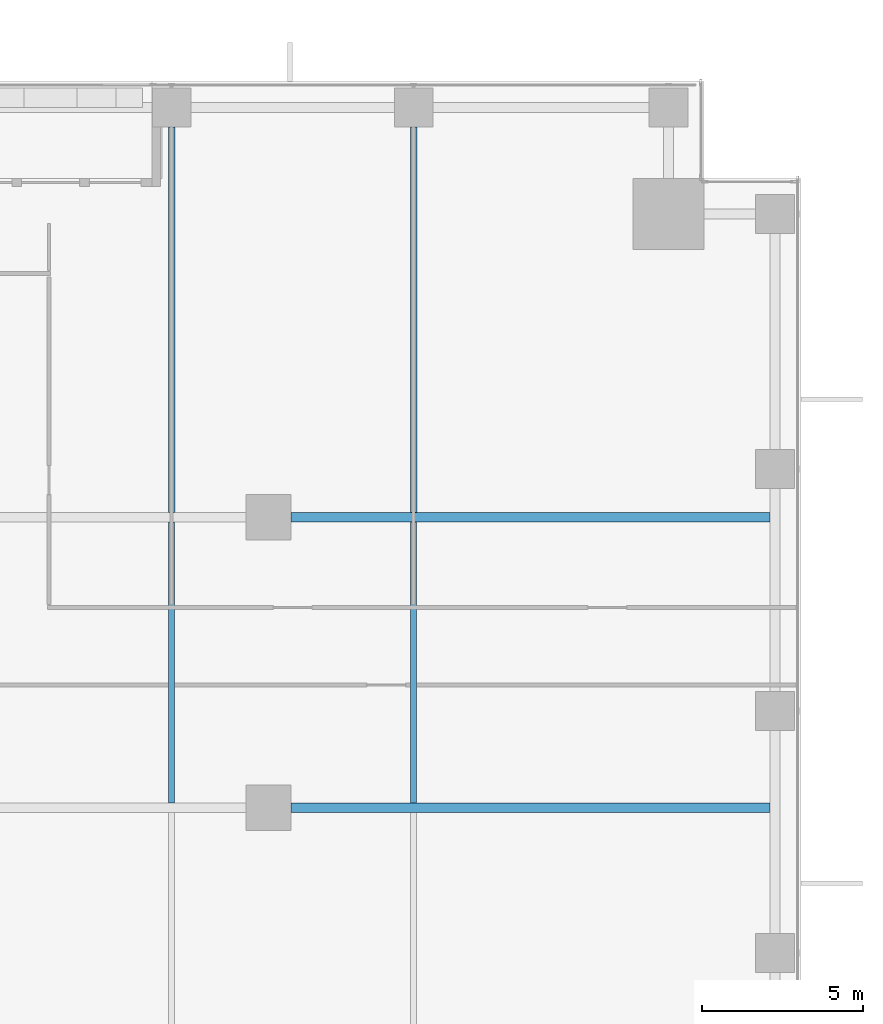
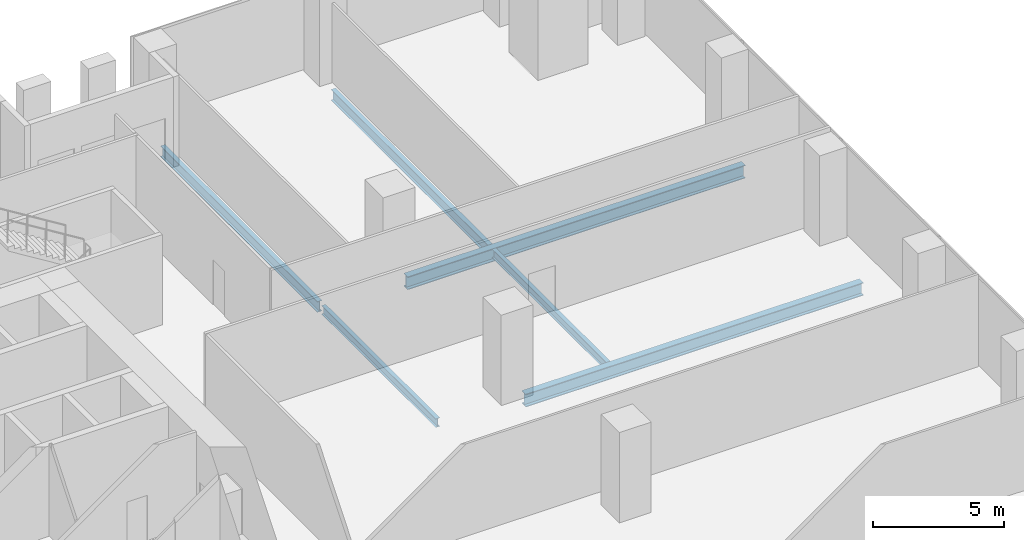
# One storey, part 17 of 33: 6 beams.
"""IFC4 building model written with IfcOpenShell, lengths in metres."""

import ifcopenshell
import ifcopenshell.guid

model = None  # the IFC model being written
_history = None  # IfcOwnerHistory: only IFC2X3 demands one
_inside = {}  # id of a spatial element -> (the spatial element, [elements in it])
_under = {}  # id of a project, library or spatial element -> (it, [spatial elements below it])
_declared = {}  # id of a project -> (the project, [libraries it declares])
_typed = {}  # id of a type object -> (the type object, [elements of that type])
_made_of = {}  # id of a material, layer set ... -> (it, [elements and type objects made of it])


def new_model(schema):
    """Start an empty IFC model of exactly this schema.

    Asked for "IFC4X3", IfcOpenShell would pick the latest addendum, in which some entities
    have other attributes; the version numbers below select the first issue.
    IFC2X3 requires an IfcOwnerHistory on every rooted entity: one is made here for all.
    """
    global model, _history
    if schema == "IFC4X3":
        model = ifcopenshell.file(schema_version=(4, 3, 0, 0))
    else:
        model = ifcopenshell.file(schema=schema)
    _inside.clear()
    _under.clear()
    _declared.clear()
    _typed.clear()
    _made_of.clear()
    _history = None
    if model.schema == "IFC2X3":
        org = make("IfcOrganization", Name="unknown")
        user = make(
            "IfcPersonAndOrganization",
            ThePerson=make("IfcPerson", FamilyName="unknown"),
            TheOrganization=org,
        )
        app = make(
            "IfcApplication",
            ApplicationDeveloper=org,
            Version="unknown",
            ApplicationFullName="unknown",
            ApplicationIdentifier="unknown",
        )
        _history = make(
            "IfcOwnerHistory",
            OwningUser=user,
            OwningApplication=app,
            ChangeAction="ADDED",
            CreationDate=0,
        )
    return model


def make(cls, **values):
    """One entity of the class cls with the attributes given. An attribute that is None is left unset."""
    return model.create_entity(
        cls, **{name: value for name, value in values.items() if value is not None}
    )


def rooted(cls, **values):
    """An entity with a GlobalId (a new one), such as an element, a storey or a relation."""
    return make(cls, GlobalId=ifcopenshell.guid.new(), OwnerHistory=_history, **values)


def si_unit(unit_type, name, prefix=None):
    """IfcSIUnit, for example si_unit("LENGTHUNIT", "METRE", prefix="MILLI")."""
    return make("IfcSIUnit", UnitType=unit_type, Prefix=prefix, Name=name)


def assignment(units):
    """IfcUnitAssignment: the units of a project."""
    return None if units is None else make("IfcUnitAssignment", Units=units)


def point(xyz):
    """IfcCartesianPoint."""
    return None if xyz is None else make("IfcCartesianPoint", Coordinates=xyz)


def direction(xyz):
    """IfcDirection."""
    return None if xyz is None else make("IfcDirection", DirectionRatios=xyz)


def frame(location, z_axis=None, x_axis=None):
    """IfcAxis2Placement3D, a coordinate frame: its origin and axes. An axis left out is left unset."""
    return make(
        "IfcAxis2Placement3D",
        Location=point(location),
        Axis=direction(z_axis),
        RefDirection=direction(x_axis),
    )


def frame_2d(location, x_axis=None):
    """IfcAxis2Placement2D, a coordinate frame in the plane: its origin and x axis."""
    return make(
        "IfcAxis2Placement2D", Location=point(location), RefDirection=direction(x_axis)
    )


def origin():
    """The frame at (0, 0, 0) with its axes left unset."""
    return frame((0.0, 0.0, 0.0))


def origin_2d():
    """The frame at (0, 0) in the plane with its x axis left unset."""
    return frame_2d((0.0, 0.0))


def place(relative_to, where):
    """IfcLocalPlacement: puts the frame where relative to a parent placement (None: the world)."""
    return make(
        "IfcLocalPlacement", PlacementRelTo=relative_to, RelativePlacement=where
    )


def context(
    kind, dimensions, precision=None, world=None, true_north=None, identifier=None
):
    """IfcGeometricRepresentationContext, for example the 3D "Model" context."""
    return make(
        "IfcGeometricRepresentationContext",
        ContextIdentifier=identifier,
        ContextType=kind,
        CoordinateSpaceDimension=dimensions,
        Precision=precision,
        WorldCoordinateSystem=world,
        TrueNorth=true_north,
    )


def subcontext(parent, identifier, kind, view, scale=None):
    """IfcGeometricRepresentationSubContext, for example "Body" below "Model"."""
    return make(
        "IfcGeometricRepresentationSubContext",
        ContextIdentifier=identifier,
        ContextType=kind,
        ParentContext=parent,
        TargetScale=scale,
        TargetView=view,
    )


def project(units=None, contexts=None):
    """IfcProject with its units and contexts."""
    return rooted(
        "IfcProject",
        Name="project",
        RepresentationContexts=contexts,
        UnitsInContext=assignment(units),
    )


def spatial(cls, under=None, at=None, **own):
    """A site, building, storey or space (cls), placed at a placement, below another one or the project."""
    s = rooted(cls, ObjectPlacement=at, **own)
    if under is not None:
        _under.setdefault(under.id(), (under, []))[1].append(s)
    return s


def profile(cls, at=None, kind="AREA", **sizes):
    """A parametric profile (cls). Its sizes go by their IFC names, for example OverallWidth=200.0."""
    return make(cls, ProfileType=kind, Position=at, **sizes)


def i_section(**sizes):
    """IfcIShapeProfileDef."""
    return profile("IfcIShapeProfileDef", **sizes)


def extrude(swept, where, along, depth):
    """IfcExtrudedAreaSolid: the profile swept, set in the frame where, extruded along a direction by depth."""
    return make(
        "IfcExtrudedAreaSolid",
        SweptArea=swept,
        Position=where,
        ExtrudedDirection=direction(along),
        Depth=depth,
    )


def shape(context_of_items, identifier, shape_type, items):
    """IfcShapeRepresentation: the items that make up one representation, for example the "Body"."""
    return make(
        "IfcShapeRepresentation",
        ContextOfItems=context_of_items,
        RepresentationIdentifier=identifier,
        RepresentationType=shape_type,
        Items=items,
    )


def source(mapping_origin, context_of_items, identifier, shape_type, items):
    """IfcRepresentationMap: a shape defined once, which mapped items show again and again."""
    return make(
        "IfcRepresentationMap",
        MappingOrigin=mapping_origin,
        MappedRepresentation=shape(context_of_items, identifier, shape_type, items),
    )


def transform(
    local_origin,
    x_axis=None,
    y_axis=None,
    z_axis=None,
    scale=None,
    scale2=None,
    scale3=None,
    uniform=True,
):
    """IfcCartesianTransformationOperator3D, or its non-uniform kind. x_axis, y_axis, z_axis: its Axis1, 2, 3."""
    if uniform:
        return make(
            "IfcCartesianTransformationOperator3D",
            Axis1=direction(x_axis),
            Axis2=direction(y_axis),
            LocalOrigin=point(local_origin),
            Scale=scale,
            Axis3=direction(z_axis),
        )
    return make(
        "IfcCartesianTransformationOperator3DnonUniform",
        Axis1=direction(x_axis),
        Axis2=direction(y_axis),
        LocalOrigin=point(local_origin),
        Scale=scale,
        Axis3=direction(z_axis),
        Scale2=scale2,
        Scale3=scale3,
    )


def mapped(mapping_source, mapping_target):
    """IfcMappedItem: shows the shape of a source again, moved by a transform."""
    return make(
        "IfcMappedItem", MappingSource=mapping_source, MappingTarget=mapping_target
    )


def material(Name=None, Category=None):
    """IfcMaterial."""
    return make("IfcMaterial", Name=Name, Category=Category)


def material_profile(
    of_material, cross_section, Name=None, Category=None, Priority=None
):
    """IfcMaterialProfile: a cross section and its material."""
    return make(
        "IfcMaterialProfile",
        Name=Name,
        Material=of_material,
        Profile=cross_section,
        Priority=Priority,
        Category=Category,
    )


def profile_set(profiles, Name=None, composite=None):
    """IfcMaterialProfileSet."""
    return make(
        "IfcMaterialProfileSet",
        Name=Name,
        MaterialProfiles=profiles,
        CompositeProfile=composite,
    )


def made_of(thing, what):
    """Note that an element or type object is made of a material, layer set ...; save() writes the relation."""
    if what is not None:
        _made_of.setdefault(what.id(), (what, []))[1].append(thing)
    return thing


def type_object(cls, material=None, **own):
    """A type object (cls), such as IfcWallType, which elements share."""
    return made_of(rooted(cls, **own), material)


def element(
    cls,
    number,
    at=None,
    inside=None,
    cuts=None,
    type_object=None,
    material=None,
    context=None,
    identifier="Body",
    shape_type=None,
    held_by="IfcProductDefinitionShape",
    body=None,
    shapes=None,
    **own,
):
    """One element of the class cls, such as IfcWall. Its Tag is "e" and its number.

    at: its placement. inside: the storey or other place that contains it. cuts: it is an
    opening in that element (IfcRelVoidsElement). A single representation is given by context,
    identifier, shape_type and body (its items); several are given by shapes. held_by: the class
    of the entity that holds the representations. save() writes the other relations.
    """
    e = rooted(cls, Tag="e%d" % number, ObjectPlacement=at, **own)
    if body is not None:
        shapes = [shape(context, identifier, shape_type, body)]
    if shapes is not None:
        e.Representation = make(held_by, Representations=shapes)
    if inside is not None:
        _inside.setdefault(inside.id(), (inside, []))[1].append(e)
    if cuts is not None:
        rooted(
            "IfcRelVoidsElement", RelatingBuildingElement=cuts, RelatedOpeningElement=e
        )
    if type_object is not None:
        _typed.setdefault(type_object.id(), (type_object, []))[1].append(e)
    return made_of(e, material)


def aggregate(whole, parts):
    """IfcRelAggregates: a whole, such as a stair, and the parts it consists of."""
    return rooted("IfcRelAggregates", RelatingObject=whole, RelatedObjects=parts)


def save(model, path):
    """Write the relations noted so far, then the file.

    IfcRelAggregates (storeys below a building ...), IfcRelContainedInSpatialStructure (elements
    in a storey), IfcRelDefinesByType, IfcRelAssociatesMaterial and IfcRelDeclares: one each for
    every whole, place, type object, material and project.
    """
    for whole, parts in _under.values():
        aggregate(whole, parts)
    for where, things in _inside.values():
        rooted(
            "IfcRelContainedInSpatialStructure",
            RelatedElements=things,
            RelatingStructure=where,
        )
    for kind, things in _typed.values():
        rooted("IfcRelDefinesByType", RelatedObjects=things, RelatingType=kind)
    for what, things in _made_of.values():
        rooted("IfcRelAssociatesMaterial", RelatedObjects=things, RelatingMaterial=what)
    for by, libraries in _declared.values():
        rooted("IfcRelDeclares", RelatingContext=by, RelatedDefinitions=libraries)
    model.write(path)


model = new_model("IFC4")

# Units and contexts
model_context = context("Model", 3, precision=1e-05, world=origin(), true_north=direction((0.0, 1.0)))
body_context = subcontext(model_context, "Body", "Model", "MODEL_VIEW")
ifc_project = project(units=[si_unit("LENGTHUNIT", "METRE"), si_unit("AREAUNIT", "SQUARE_METRE"), si_unit("VOLUMEUNIT", "CUBIC_METRE"), si_unit("PLANEANGLEUNIT", "RADIAN"), si_unit("MASSUNIT", "GRAM", prefix="KILO")], contexts=[model_context])

# Site, building, storey
site_placement = place(None, origin())
site = spatial("IfcSite", under=ifc_project, at=site_placement, CompositionType="ELEMENT")
building_placement = place(site_placement, origin())
building = spatial("IfcBuilding", under=site, at=building_placement, Name="Khomas Fold Tower", CompositionType="ELEMENT")
storey_placement = place(building_placement, frame((0.0, 0.0, 55.5)))
storey = spatial("IfcBuildingStorey", under=building, at=storey_placement, Name="L11", CompositionType="ELEMENT", Elevation=55.5)

# Beams
ifc_material_1 = material(Name="Steel S355", Category="steel")
ifc_material_profile_1 = material_profile(ifc_material_1, i_section(OverallWidth=0.179931640625, OverallDepth=0.39990234375, WebThickness=0.008544921875, FlangeThickness=0.013427734375, at=origin_2d()), Name="IPE 400")
ifc_profile_set_1 = profile_set([ifc_material_profile_1], Name="Steel S355")
beam_type_1 = type_object("IfcBeamType", Name="IPE 400 beam JB3", PredefinedType="BEAM", material=ifc_profile_set_1)
shared_shape_1 = source(origin(), body_context, "Body", "SweptSolid", [
    extrude(i_section(OverallWidth=0.179931640625, OverallDepth=0.39990234375, WebThickness=0.008544921875, FlangeThickness=0.013427734375, at=origin_2d()), origin(), (0.0, 0.0, 1.0), 8.7001953125),
])
for number, where, z_axis, x_axis, name in (
    (1, (34.5, 31.64990234375, -0.5), (0.0, 1.0, 0.0), (-1.0, 0.0, 0.0), "JB3"),
    (2, (42.0, 31.64990234375, -0.5), (0.0, 1.0, 0.0), (-1.0, 0.0, 0.0), "JB3"),
):
    element("IfcBeam", number, at=place(storey_placement, frame(where, z_axis=z_axis, x_axis=x_axis)), inside=storey, type_object=beam_type_1, Name=name, PredefinedType="BEAM", context=body_context, shape_type="MappedRepresentation", body=[
        mapped(shared_shape_1, transform((0.0, 0.0, 0.0))),
    ])
ifc_material_2 = material(Name="Steel S355", Category="steel")
ifc_material_profile_2 = material_profile(ifc_material_2, i_section(OverallWidth=0.300048828125, OverallDepth=0.60009765625, WebThickness=0.015380859375, FlangeThickness=0.030029296875, at=origin_2d()), Name="HE 600 B")
ifc_profile_set_2 = profile_set([ifc_material_profile_2], Name="Steel S355")
beam_type_2 = type_object("IfcBeamType", Name="HE 600 B beam GB5", PredefinedType="BEAM", material=ifc_profile_set_2)
shared_shape_2 = source(origin(), body_context, "Body", "SweptSolid", [
    extrude(i_section(OverallWidth=0.300048828125, OverallDepth=0.60009765625, WebThickness=0.015380859375, FlangeThickness=0.030029296875, at=origin_2d()), origin(), (0.0, 0.0, 1.0), 14.85009765625),
])
for number, where, z_axis, x_axis, name in (
    (3, (38.199951171875, 31.5, -0.60009765625), (1.0, 0.0, 0.0), (0.0, 1.0, 0.0), "GB5"),
    (4, (38.199951171875, 40.5, -0.60009765625), (1.0, 0.0, 0.0), (0.0, 1.0, 0.0), "GB5"),
):
    element("IfcBeam", number, at=place(storey_placement, frame(where, z_axis=z_axis, x_axis=x_axis)), inside=storey, type_object=beam_type_2, Name=name, PredefinedType="BEAM", context=body_context, shape_type="MappedRepresentation", body=[
        mapped(shared_shape_2, transform((0.0, 0.0, 0.0))),
    ])
ifc_material_3 = material(Name="Steel S355", Category="steel")
ifc_material_profile_3 = material_profile(ifc_material_3, i_section(OverallWidth=0.199951171875, OverallDepth=0.5, WebThickness=0.01025390625, FlangeThickness=0.01611328125, at=origin_2d()), Name="IPE 500")
ifc_profile_set_3 = profile_set([ifc_material_profile_3], Name="Steel S355")
beam_type_3 = type_object("IfcBeamType", Name="IPE 500 beam JB5", PredefinedType="BEAM", material=ifc_profile_set_3)
shared_shape_3 = source(origin(), body_context, "Body", "SweptSolid", [
    extrude(i_section(OverallWidth=0.199951171875, OverallDepth=0.5, WebThickness=0.01025390625, FlangeThickness=0.01611328125, at=origin_2d()), origin(), (0.0, 0.0, 1.0), 11.9501953125),
])
for number, where, z_axis, x_axis, name in (
    (5, (34.5, 40.64990234375, -0.550048828125), (0.0, 1.0, 0.0), (-1.0, 0.0, 0.0), "JB5"),
    (6, (42.0, 40.64990234375, -0.550048828125), (0.0, 1.0, 0.0), (-1.0, 0.0, 0.0), "JB5"),
):
    element("IfcBeam", number, at=place(storey_placement, frame(where, z_axis=z_axis, x_axis=x_axis)), inside=storey, type_object=beam_type_3, Name=name, PredefinedType="BEAM", context=body_context, shape_type="MappedRepresentation", body=[
        mapped(shared_shape_3, transform((0.0, 0.0, 0.0))),
    ])

save(model, "model.ifc")
